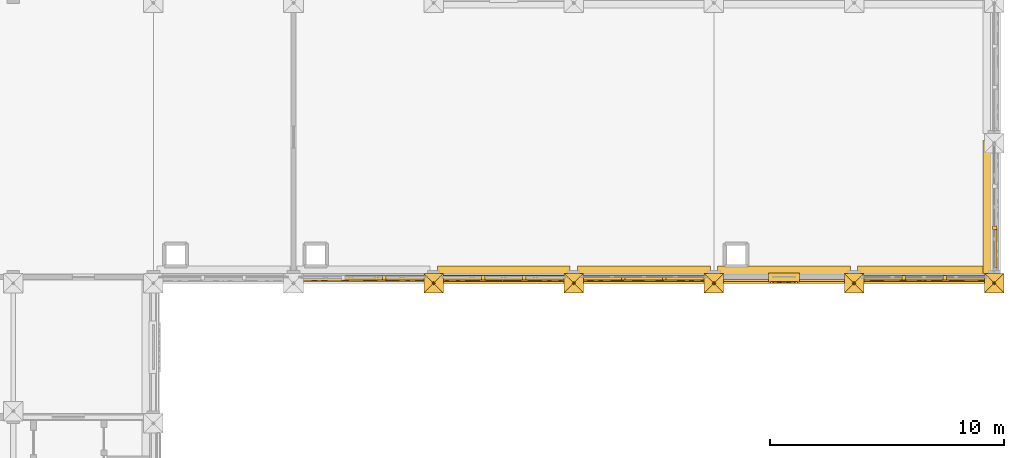
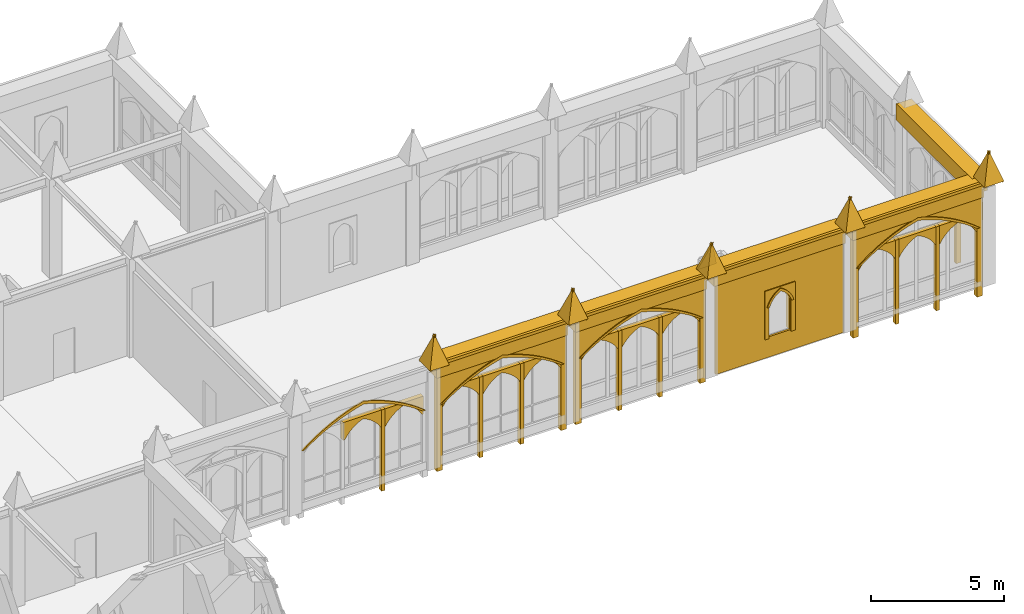
# One storey, part 103 of 108: 59 coverings.
"""IFC4 building model written with IfcOpenShell, lengths in metres."""

from ifc_helpers import new_model, si_unit, direction, frame, origin, origin_2d, place, context, subcontext, project, spatial, polyline, rectangle, outline, extrude, material, type_object, element, save


model = new_model("IFC4")

# Units and contexts
model_context = context("Model", 3, precision=1e-05, world=origin(), true_north=direction((0.0, 1.0)))
body_context = subcontext(model_context, "Body", "Model", "MODEL_VIEW")
ifc_project = project(units=[si_unit("LENGTHUNIT", "METRE"), si_unit("AREAUNIT", "SQUARE_METRE"), si_unit("VOLUMEUNIT", "CUBIC_METRE"), si_unit("PLANEANGLEUNIT", "RADIAN"), si_unit("MASSUNIT", "GRAM", prefix="KILO")], contexts=[model_context])

# Site, building, storey
site_placement = place(None, origin())
site = spatial("IfcSite", under=ifc_project, at=site_placement, CompositionType="ELEMENT")
building_placement = place(site_placement, origin())
building = spatial("IfcBuilding", under=site, at=building_placement, Name="Cumevento Cable Car Station", CompositionType="ELEMENT")
storey_placement = place(building_placement, frame((0.0, 0.0, 13.5)))
storey = spatial("IfcBuildingStorey", under=building, at=storey_placement, Name="L04", CompositionType="ELEMENT", Elevation=13.5)

# Coverings
ifc_material = material(Name="Gnaisse Facoidal Stone Ashlar 85 MPa", Category="masonry")
covering_type = type_object("IfcCoveringType", Name="Gnaisse Ashlar Cladding CV-CL01", PredefinedType="CLADDING", material=ifc_material)
for number, where, z_axis, x_axis, name in (
    (1, (141.580078125, 33.159912109375, 4.8701171875), (0.0, 0.951573760476, 0.30742052367), (1.0, 0.0, 0.0), "Gothic Buttress Pinnacle Spire Facet 1 bt:142.0:33.0"),
    (2, (142.419921875, 33.159912109375, 4.8701171875), (0.951573760476, 0.0, 0.30742052367), (0.0, -1.0, 0.0), "Gothic Buttress Pinnacle Spire Facet 2 bt:142.0:33.0"),
    (3, (142.419921875, 32.320068359375, 4.8701171875), (0.0, -0.951573760476, 0.30742052367), (-1.0, 0.0, 0.0), "Gothic Buttress Pinnacle Spire Facet 3 bt:142.0:33.0"),
    (4, (141.580078125, 32.320068359375, 4.8701171875), (-0.951573760476, 0.0, 0.30742052367), (0.0, 1.0, 0.0), "Gothic Buttress Pinnacle Spire Facet 4 bt:142.0:33.0"),
    (5, (147.580078125, 33.159912109375, 4.8701171875), (0.0, 0.951573760476, 0.30742052367), (1.0, 0.0, 0.0), "Gothic Buttress Pinnacle Spire Facet 1 bt:148.0:33.0"),
    (6, (148.419921875, 33.159912109375, 4.8701171875), (0.951573760476, 0.0, 0.30742052367), (0.0, -1.0, 0.0), "Gothic Buttress Pinnacle Spire Facet 2 bt:148.0:33.0"),
    (7, (148.419921875, 32.320068359375, 4.8701171875), (0.0, -0.951573760476, 0.30742052367), (-1.0, 0.0, 0.0), "Gothic Buttress Pinnacle Spire Facet 3 bt:148.0:33.0"),
    (8, (147.580078125, 32.320068359375, 4.8701171875), (-0.951573760476, 0.0, 0.30742052367), (0.0, 1.0, 0.0), "Gothic Buttress Pinnacle Spire Facet 4 bt:148.0:33.0"),
    (9, (153.580078125, 33.159912109375, 4.8701171875), (0.0, 0.951573760476, 0.30742052367), (1.0, 0.0, 0.0), "Gothic Buttress Pinnacle Spire Facet 1 bt:154.0:33.0"),
    (10, (154.419921875, 33.159912109375, 4.8701171875), (0.951573760476, 0.0, 0.30742052367), (0.0, -1.0, 0.0), "Gothic Buttress Pinnacle Spire Facet 2 bt:154.0:33.0"),
    (11, (154.419921875, 32.320068359375, 4.8701171875), (0.0, -0.951573760476, 0.30742052367), (-1.0, 0.0, 0.0), "Gothic Buttress Pinnacle Spire Facet 3 bt:154.0:33.0"),
    (12, (153.580078125, 32.320068359375, 4.8701171875), (-0.951573760476, 0.0, 0.30742052367), (0.0, 1.0, 0.0), "Gothic Buttress Pinnacle Spire Facet 4 bt:154.0:33.0"),
    (13, (159.580078125, 33.159912109375, 4.8701171875), (0.0, 0.951573760476, 0.30742052367), (1.0, 0.0, 0.0), "Gothic Buttress Pinnacle Spire Facet 1 bt:160.0:33.0"),
    (14, (160.419921875, 33.159912109375, 4.8701171875), (0.951573760476, 0.0, 0.30742052367), (0.0, -1.0, 0.0), "Gothic Buttress Pinnacle Spire Facet 2 bt:160.0:33.0"),
    (15, (160.419921875, 32.320068359375, 4.8701171875), (0.0, -0.951573760476, 0.30742052367), (-1.0, 0.0, 0.0), "Gothic Buttress Pinnacle Spire Facet 3 bt:160.0:33.0"),
    (16, (159.580078125, 32.320068359375, 4.8701171875), (-0.951573760476, 0.0, 0.30742052367), (0.0, 1.0, 0.0), "Gothic Buttress Pinnacle Spire Facet 4 bt:160.0:33.0"),
    (17, (165.580078125, 33.159912109375, 4.8701171875), (0.0, 0.951573760476, 0.30742052367), (1.0, 0.0, 0.0), "Gothic Buttress Pinnacle Spire Facet 1 bt:166.0:33.0"),
    (18, (166.419921875, 33.159912109375, 4.8701171875), (0.951573760476, 0.0, 0.30742052367), (0.0, -1.0, 0.0), "Gothic Buttress Pinnacle Spire Facet 2 bt:166.0:33.0"),
    (19, (166.419921875, 32.320068359375, 4.8701171875), (0.0, -0.951573760476, 0.30742052367), (-1.0, 0.0, 0.0), "Gothic Buttress Pinnacle Spire Facet 3 bt:166.0:33.0"),
    (20, (165.580078125, 32.320068359375, 4.8701171875), (-0.951573760476, 0.0, 0.30742052367), (0.0, 1.0, 0.0), "Gothic Buttress Pinnacle Spire Facet 4 bt:166.0:33.0"),
):
    element("IfcCovering", number, at=place(storey_placement, frame(where, z_axis=z_axis, x_axis=x_axis)), inside=storey, type_object=covering_type, Name=name, PredefinedType="CLADDING", context=body_context, shape_type="SweptSolid", body=[
        extrude(outline(polyline([(0.0, 0.0), (0.83984375, 0.0), (0.419921875, -1.3659526370817139), (0.0, 0.0)])), origin(), (0.0, 0.0, -1.0), 0.0849609375),
    ])
covering_1_placement = place(storey_placement, frame((145.0, 33.14990234375, 4.032958984375), z_axis=(0.0, 0.0, 1.0), x_axis=(-1.0, 0.0, 0.0)))
element("IfcCovering", 21, at=covering_1_placement, inside=storey, type_object=covering_type, Name="Gothic Stone Spandrel Stringcourse sc:0761", PredefinedType="CLADDING", context=body_context, shape_type="SweptSolid", body=[
    extrude(rectangle(XDim=5.68994140625, YDim=0.659912109375, at=origin_2d()), origin(), (0.0, 0.0, 1.0), 0.7470703125),
])
covering_2_placement = place(storey_placement, frame((145.0, 32.79248046875, 4.650146484375), z_axis=(0.0, 0.0, 1.0), x_axis=(-1.0, 0.0, 0.0)))
element("IfcCovering", 22, at=covering_2_placement, inside=storey, type_object=covering_type, Name="Gothic Cornice Dripstone Lip sc:0761", PredefinedType="CLADDING", context=body_context, shape_type="SweptSolid", body=[
    extrude(rectangle(XDim=5.72998046875, YDim=0.114990234375, at=origin_2d()), origin(), (0.0, 0.0, 1.0), 0.1298828125),
])
covering_3_placement = place(storey_placement, frame((151.0, 33.14990234375, 4.032958984375), z_axis=(0.0, 0.0, 1.0), x_axis=(-1.0, 0.0, 0.0)))
element("IfcCovering", 23, at=covering_3_placement, inside=storey, type_object=covering_type, Name="Gothic Stone Spandrel Stringcourse sc:0762", PredefinedType="CLADDING", context=body_context, shape_type="SweptSolid", body=[
    extrude(rectangle(XDim=5.68994140625, YDim=0.659912109375, at=origin_2d()), origin(), (0.0, 0.0, 1.0), 0.7470703125),
])
covering_4_placement = place(storey_placement, frame((151.0, 32.79248046875, 4.650146484375), z_axis=(0.0, 0.0, 1.0), x_axis=(-1.0, 0.0, 0.0)))
element("IfcCovering", 24, at=covering_4_placement, inside=storey, type_object=covering_type, Name="Gothic Cornice Dripstone Lip sc:0762", PredefinedType="CLADDING", context=body_context, shape_type="SweptSolid", body=[
    extrude(rectangle(XDim=5.72998046875, YDim=0.114990234375, at=origin_2d()), origin(), (0.0, 0.0, 1.0), 0.1298828125),
])
covering_5_placement = place(storey_placement, frame((157.0, 33.14990234375, 4.032958984375), z_axis=(0.0, 0.0, 1.0), x_axis=(-1.0, 0.0, 0.0)))
element("IfcCovering", 25, at=covering_5_placement, inside=storey, type_object=covering_type, Name="Gothic Stone Spandrel Stringcourse sc:0763", PredefinedType="CLADDING", context=body_context, shape_type="SweptSolid", body=[
    extrude(rectangle(XDim=5.68994140625, YDim=0.659912109375, at=origin_2d()), origin(), (0.0, 0.0, 1.0), 0.7470703125),
])
covering_6_placement = place(storey_placement, frame((157.0, 32.79248046875, 4.650146484375), z_axis=(0.0, 0.0, 1.0), x_axis=(-1.0, 0.0, 0.0)))
element("IfcCovering", 26, at=covering_6_placement, inside=storey, type_object=covering_type, Name="Gothic Cornice Dripstone Lip sc:0763", PredefinedType="CLADDING", context=body_context, shape_type="SweptSolid", body=[
    extrude(rectangle(XDim=5.72998046875, YDim=0.114990234375, at=origin_2d()), origin(), (0.0, 0.0, 1.0), 0.1298828125),
])
covering_7_placement = place(storey_placement, frame((163.0, 33.14990234375, 4.032958984375), z_axis=(0.0, 0.0, 1.0), x_axis=(-1.0, 0.0, 0.0)))
element("IfcCovering", 27, at=covering_7_placement, inside=storey, type_object=covering_type, Name="Gothic Stone Spandrel Stringcourse sc:0764", PredefinedType="CLADDING", context=body_context, shape_type="SweptSolid", body=[
    extrude(rectangle(XDim=5.68994140625, YDim=0.659912109375, at=origin_2d()), origin(), (0.0, 0.0, 1.0), 0.7470703125),
])
covering_8_placement = place(storey_placement, frame((163.0, 32.79248046875, 4.650146484375), z_axis=(0.0, 0.0, 1.0), x_axis=(-1.0, 0.0, 0.0)))
element("IfcCovering", 28, at=covering_8_placement, inside=storey, type_object=covering_type, Name="Gothic Cornice Dripstone Lip sc:0764", PredefinedType="CLADDING", context=body_context, shape_type="SweptSolid", body=[
    extrude(rectangle(XDim=5.72998046875, YDim=0.114990234375, at=origin_2d()), origin(), (0.0, 0.0, 1.0), 0.1298828125),
])
covering_9_placement = place(storey_placement, frame((165.85009765625, 36.0, 4.032958984375), z_axis=(0.0, 0.0, 1.0), x_axis=(0.0, -1.0, 0.0)))
element("IfcCovering", 29, at=covering_9_placement, inside=storey, type_object=covering_type, Name="Gothic Stone Spandrel Stringcourse sc:0769", PredefinedType="CLADDING", context=body_context, shape_type="SweptSolid", body=[
    extrude(rectangle(XDim=5.68994140625, YDim=0.659912109375, at=origin_2d()), origin(), (0.0, 0.0, 1.0), 0.7470703125),
])
covering_10_placement = place(storey_placement, frame((141.72509765625, 33.0, 2.7490234375), z_axis=(0.0, 0.0, 1.0), x_axis=(-1.0, 0.0, 0.0)))
element("IfcCovering", 30, at=covering_10_placement, inside=storey, type_object=covering_type, Name="Gothic Pointed Archivolt Hood Moulding cw_ogival:0180", PredefinedType="CLADDING", context=body_context, shape_type="SweptSolid", body=[
    extrude(outline(polyline([(0.159912109375, 0.0), (0.4501953125, 0.209228515625), (0.750732421875, 0.403076171875), (1.060791015625, 0.58154296875), (1.379638671875, 0.74365234375), (1.706298828125, 0.889404296875), (2.0400390625, 1.018310546875), (2.3798828125, 1.1298828125), (2.72509765625, 1.223876953125), (3.070068359375, 1.1298828125), (3.409912109375, 1.018310546875), (3.74365234375, 0.889404296875), (4.0703125, 0.74365234375), (4.38916015625, 0.58154296875), (4.69921875, 0.403076171875), (4.999755859375, 0.209228515625), (5.2900390625, 0.0), (5.39990234375, 0.0), (5.101318359375, 0.23193359375), (4.79052734375, 0.447265625), (4.46875, 0.6455078125), (4.136474609375, 0.826171875), (3.794921875, 0.98828125), (3.4453125, 1.132080078125), (3.088134765625, 1.25634765625), (2.72509765625, 1.361328125), (2.36181640625, 1.25634765625), (2.004638671875, 1.132080078125), (1.655029296875, 0.98828125), (1.3134765625, 0.826171875), (0.981201171875, 0.6455078125), (0.659423828125, 0.447265625), (0.3486328125, 0.23193359375), (0.050048828125, 0.0), (0.159912109375, 0.0)])), frame((0.0, 0.181884765625, 0.0), z_axis=(0.0, -1.0, 0.0), x_axis=(1.0, 0.0, 0.0)), (0.0, 0.0, 1.0), 0.06689453125),
])
covering_11_placement = place(storey_placement, frame((141.72509765625, 33.0, -0.320068359375), z_axis=(0.0, 0.0, 1.0), x_axis=(-1.0, 0.0, 0.0)))
element("IfcCovering", 31, at=covering_11_placement, inside=storey, type_object=covering_type, Name="Gothic Bifora Stone Colonnette cw_ogival:0180 #1", PredefinedType="CLADDING", context=body_context, shape_type="SweptSolid", body=[
    extrude(outline(polyline([(1.77001953125, -0.02001953125), (1.919921875, -0.02001953125), (1.919921875, 3.70556640625), (1.77001953125, 3.70556640625), (1.77001953125, -0.02001953125)])), frame((0.0, 0.1279296875, 0.0), z_axis=(0.0, -1.0, 0.0), x_axis=(1.0, 0.0, 0.0)), (0.0, 0.0, 1.0), 0.205078125),
])
for number, where, z_axis, x_axis, name in (
    (32, (141.594970703125, 33.0, 2.569091796875), (0.0, 0.0, 1.0), (-1.0, 0.0, 0.0), "Gothic Ogival Pointed-Arch Stone Spandrel cw_ogival:0180:sub:0"),
    (33, (139.8349609375, 33.0, 2.569091796875), (0.0, 0.0, 1.0), (-1.0, 0.0, 0.0), "Gothic Ogival Pointed-Arch Stone Spandrel cw_ogival:0180:sub:1"),
):
    element("IfcCovering", number, at=place(storey_placement, frame(where, z_axis=z_axis, x_axis=x_axis)), inside=storey, type_object=covering_type, Name=name, PredefinedType="CLADDING", context=body_context, shape_type="SweptSolid", body=[
        extrude(outline(polyline([(-0.02001953125, 0.0), (-0.02001953125, 0.81640625), (1.68994140625, 0.81640625), (1.68994140625, 0.0), (1.6298828125, 0.0), (1.5322265625, 0.150390625), (1.418701171875, 0.2890625), (1.29052734375, 0.41455078125), (1.1494140625, 0.525146484375), (0.996826171875, 0.619384765625), (0.8349609375, 0.6962890625), (0.673095703125, 0.619384765625), (0.5205078125, 0.525146484375), (0.37939453125, 0.41455078125), (0.251220703125, 0.2890625), (0.1376953125, 0.150390625), (0.0400390625, 0.0), (-0.02001953125, 0.0)])), frame((0.0, 0.1240234375, 0.0), z_axis=(0.0, -1.0, 0.0), x_axis=(1.0, 0.0, 0.0)), (0.0, 0.0, 1.0), 0.199951171875),
    ])
placement_1 = place(storey_placement, frame((147.72509765625, 33.0, -0.27001953125), z_axis=(0.0, 0.0, 1.0), x_axis=(-1.0, 0.0, 0.0)))
element("IfcCovering", 34, at=placement_1, inside=storey, type_object=covering_type, Name="Gothic Ogival Pointed-Arch Stone Spandrel cw_ogival:0181", PredefinedType="CLADDING", context=body_context, shape_type="SweptSolid", body=[
    extrude(outline(polyline([(-0.080078125, 0.0), (-0.080078125, 4.443115234375), (5.530029296875, 4.443115234375), (5.530029296875, 0.0), (5.2900390625, 0.0), (5.2900390625, 3.037109375), (4.9990234375, 3.243408203125), (4.69775390625, 3.4345703125), (4.387451171875, 3.6103515625), (4.068603515625, 3.77001953125), (3.7421875, 3.91357421875), (3.40869140625, 4.04052734375), (3.0693359375, 4.150390625), (2.72509765625, 4.242919921875), (2.380615234375, 4.150390625), (2.041259765625, 4.04052734375), (1.707763671875, 3.91357421875), (1.38134765625, 3.77001953125), (1.0625, 3.6103515625), (0.752197265625, 3.4345703125), (0.450927734375, 3.243408203125), (0.159912109375, 3.037109375), (0.159912109375, 0.0), (-0.080078125, 0.0)])), frame((0.0, 0.139892578125, 0.0), z_axis=(0.0, -1.0, 0.0), x_axis=(1.0, 0.0, 0.0)), (0.0, 0.0, 1.0), 0.219970703125),
])
covering_13_placement = place(storey_placement, frame((147.72509765625, 33.0, 2.76708984375), z_axis=(0.0, 0.0, 1.0), x_axis=(-1.0, 0.0, 0.0)))
element("IfcCovering", 35, at=covering_13_placement, inside=storey, type_object=covering_type, Name="Gothic Pointed Archivolt Hood Moulding cw_ogival:0181", PredefinedType="CLADDING", context=body_context, shape_type="SweptSolid", body=[
    extrude(outline(polyline([(0.159912109375, 0.0), (0.450927734375, 0.206298828125), (0.752197265625, 0.3974609375), (1.0625, 0.5732421875), (1.38134765625, 0.73291015625), (1.707763671875, 0.87646484375), (2.041259765625, 1.00341796875), (2.380615234375, 1.11328125), (2.72509765625, 1.205810546875), (3.0693359375, 1.11328125), (3.40869140625, 1.00341796875), (3.7421875, 0.87646484375), (4.068603515625, 0.73291015625), (4.387451171875, 0.5732421875), (4.69775390625, 0.3974609375), (4.9990234375, 0.206298828125), (5.2900390625, 0.0), (5.39990234375, 0.0), (5.100341796875, 0.22900390625), (4.7890625, 0.441650390625), (4.466796875, 0.63720703125), (4.134521484375, 0.8154296875), (3.793212890625, 0.9755859375), (3.44384765625, 1.1171875), (3.08740234375, 1.239990234375), (2.72509765625, 1.343505859375), (2.362548828125, 1.239990234375), (2.006103515625, 1.1171875), (1.65673828125, 0.9755859375), (1.3154296875, 0.8154296875), (0.983154296875, 0.63720703125), (0.660888671875, 0.441650390625), (0.349609375, 0.22900390625), (0.050048828125, 0.0), (0.159912109375, 0.0)])), frame((0.0, 0.181884765625, 0.0), z_axis=(0.0, -1.0, 0.0), x_axis=(1.0, 0.0, 0.0)), (0.0, 0.0, 1.0), 0.06689453125),
])
element("IfcCovering", 36, at=placement_1, inside=storey, type_object=covering_type, Name="Gothic Bifora Stone Colonnette cw_ogival:0181 #1", PredefinedType="CLADDING", context=body_context, shape_type="SweptSolid", body=[
    extrude(outline(polyline([(1.77001953125, -0.02001953125), (1.919921875, -0.02001953125), (1.919921875, 3.664306640625), (1.77001953125, 3.664306640625), (1.77001953125, -0.02001953125)])), frame((0.0, 0.1279296875, 0.0), z_axis=(0.0, -1.0, 0.0), x_axis=(1.0, 0.0, 0.0)), (0.0, 0.0, 1.0), 0.205078125),
])
element("IfcCovering", 37, at=placement_1, inside=storey, type_object=covering_type, Name="Gothic Bifora Stone Colonnette cw_ogival:0181 #2", PredefinedType="CLADDING", context=body_context, shape_type="SweptSolid", body=[
    extrude(outline(polyline([(3.530029296875, -0.02001953125), (3.679931640625, -0.02001953125), (3.679931640625, 3.664306640625), (3.530029296875, 3.664306640625), (3.530029296875, -0.02001953125)])), frame((0.0, 0.1279296875, 0.0), z_axis=(0.0, -1.0, 0.0), x_axis=(1.0, 0.0, 0.0)), (0.0, 0.0, 1.0), 0.205078125),
])
for number, where, z_axis, x_axis, name in (
    (38, (147.594970703125, 33.0, 2.587158203125), (0.0, 0.0, 1.0), (-1.0, 0.0, 0.0), "Gothic Ogival Pointed-Arch Stone Spandrel cw_ogival:0181:sub:0"),
    (39, (145.8349609375, 33.0, 2.587158203125), (0.0, 0.0, 1.0), (-1.0, 0.0, 0.0), "Gothic Ogival Pointed-Arch Stone Spandrel cw_ogival:0181:sub:1"),
    (40, (144.074951171875, 33.0, 2.587158203125), (0.0, 0.0, 1.0), (-1.0, 0.0, 0.0), "Gothic Ogival Pointed-Arch Stone Spandrel cw_ogival:0181:sub:2"),
):
    element("IfcCovering", number, at=place(storey_placement, frame(where, z_axis=z_axis, x_axis=x_axis)), inside=storey, type_object=covering_type, Name=name, PredefinedType="CLADDING", context=body_context, shape_type="SweptSolid", body=[
        extrude(outline(polyline([(-0.02001953125, 0.0), (-0.02001953125, 0.80712890625), (1.68994140625, 0.80712890625), (1.68994140625, 0.0), (1.6298828125, 0.0), (1.531494140625, 0.148681640625), (1.41748046875, 0.28564453125), (1.289306640625, 0.4091796875), (1.148193359375, 0.518310546875), (0.99609375, 0.611328125), (0.8349609375, 0.68701171875), (0.673828125, 0.611328125), (0.521728515625, 0.518310546875), (0.380615234375, 0.4091796875), (0.25244140625, 0.28564453125), (0.138427734375, 0.148681640625), (0.0400390625, 0.0), (-0.02001953125, 0.0)])), frame((0.0, 0.1240234375, 0.0), z_axis=(0.0, -1.0, 0.0), x_axis=(1.0, 0.0, 0.0)), (0.0, 0.0, 1.0), 0.199951171875),
    ])
placement_2 = place(storey_placement, frame((153.72509765625, 33.0, -0.219970703125), z_axis=(0.0, 0.0, 1.0), x_axis=(-1.0, 0.0, 0.0)))
element("IfcCovering", 41, at=placement_2, inside=storey, type_object=covering_type, Name="Gothic Ogival Pointed-Arch Stone Spandrel cw_ogival:0182", PredefinedType="CLADDING", context=body_context, shape_type="SweptSolid", body=[
    extrude(outline(polyline([(-0.080078125, 0.0), (-0.080078125, 4.39306640625), (5.530029296875, 4.39306640625), (5.530029296875, 0.0), (5.2900390625, 0.0), (5.2900390625, 3.005126953125), (4.998046875, 3.208251953125), (4.696533203125, 3.396728515625), (4.3857421875, 3.570068359375), (4.06689453125, 3.7275390625), (3.740478515625, 3.868896484375), (3.407470703125, 3.99365234375), (3.06884765625, 4.101806640625), (2.72509765625, 4.193115234375), (2.381103515625, 4.101806640625), (2.04248046875, 3.99365234375), (1.70947265625, 3.868896484375), (1.383056640625, 3.7275390625), (1.064208984375, 3.570068359375), (0.75341796875, 3.396728515625), (0.451904296875, 3.208251953125), (0.159912109375, 3.005126953125), (0.159912109375, 0.0), (-0.080078125, 0.0)])), frame((0.0, 0.139892578125, 0.0), z_axis=(0.0, -1.0, 0.0), x_axis=(1.0, 0.0, 0.0)), (0.0, 0.0, 1.0), 0.219970703125),
])
covering_17_placement = place(storey_placement, frame((153.72509765625, 33.0, 2.78515625), z_axis=(0.0, 0.0, 1.0), x_axis=(-1.0, 0.0, 0.0)))
element("IfcCovering", 42, at=covering_17_placement, inside=storey, type_object=covering_type, Name="Gothic Pointed Archivolt Hood Moulding cw_ogival:0182", PredefinedType="CLADDING", context=body_context, shape_type="SweptSolid", body=[
    extrude(outline(polyline([(0.159912109375, 0.0), (0.451904296875, 0.203125), (0.75341796875, 0.3916015625), (1.064208984375, 0.56494140625), (1.383056640625, 0.722412109375), (1.70947265625, 0.86376953125), (2.04248046875, 0.988525390625), (2.381103515625, 1.0966796875), (2.72509765625, 1.18798828125), (3.06884765625, 1.0966796875), (3.407470703125, 0.988525390625), (3.740478515625, 0.86376953125), (4.06689453125, 0.722412109375), (4.3857421875, 0.56494140625), (4.696533203125, 0.3916015625), (4.998046875, 0.203125), (5.2900390625, 0.0), (5.39990234375, 0.0), (5.099609375, 0.22607421875), (4.78759765625, 0.43603515625), (4.465087890625, 0.62890625), (4.1328125, 0.8046875), (3.791748046875, 0.962646484375), (3.442626953125, 1.102294921875), (3.086669921875, 1.223388671875), (2.72509765625, 1.325439453125), (2.36328125, 1.223388671875), (2.00732421875, 1.102294921875), (1.658203125, 0.962646484375), (1.317138671875, 0.8046875), (0.98486328125, 0.62890625), (0.662353515625, 0.43603515625), (0.350341796875, 0.22607421875), (0.050048828125, 0.0), (0.159912109375, 0.0)])), frame((0.0, 0.181884765625, 0.0), z_axis=(0.0, -1.0, 0.0), x_axis=(1.0, 0.0, 0.0)), (0.0, 0.0, 1.0), 0.06689453125),
])
element("IfcCovering", 43, at=placement_2, inside=storey, type_object=covering_type, Name="Gothic Bifora Stone Colonnette cw_ogival:0182 #1", PredefinedType="CLADDING", context=body_context, shape_type="SweptSolid", body=[
    extrude(outline(polyline([(1.77001953125, -0.02001953125), (1.919921875, -0.02001953125), (1.919921875, 3.622802734375), (1.77001953125, 3.622802734375), (1.77001953125, -0.02001953125)])), frame((0.0, 0.1279296875, 0.0), z_axis=(0.0, -1.0, 0.0), x_axis=(1.0, 0.0, 0.0)), (0.0, 0.0, 1.0), 0.205078125),
])
element("IfcCovering", 44, at=placement_2, inside=storey, type_object=covering_type, Name="Gothic Bifora Stone Colonnette cw_ogival:0182 #2", PredefinedType="CLADDING", context=body_context, shape_type="SweptSolid", body=[
    extrude(outline(polyline([(3.530029296875, -0.02001953125), (3.679931640625, -0.02001953125), (3.679931640625, 3.622802734375), (3.530029296875, 3.622802734375), (3.530029296875, -0.02001953125)])), frame((0.0, 0.1279296875, 0.0), z_axis=(0.0, -1.0, 0.0), x_axis=(1.0, 0.0, 0.0)), (0.0, 0.0, 1.0), 0.205078125),
])
for number, where, z_axis, x_axis, name in (
    (45, (153.594970703125, 33.0, 2.60498046875), (0.0, 0.0, 1.0), (-1.0, 0.0, 0.0), "Gothic Ogival Pointed-Arch Stone Spandrel cw_ogival:0182:sub:0"),
    (46, (151.8349609375, 33.0, 2.60498046875), (0.0, 0.0, 1.0), (-1.0, 0.0, 0.0), "Gothic Ogival Pointed-Arch Stone Spandrel cw_ogival:0182:sub:1"),
    (47, (150.074951171875, 33.0, 2.60498046875), (0.0, 0.0, 1.0), (-1.0, 0.0, 0.0), "Gothic Ogival Pointed-Arch Stone Spandrel cw_ogival:0182:sub:2"),
):
    element("IfcCovering", number, at=place(storey_placement, frame(where, z_axis=z_axis, x_axis=x_axis)), inside=storey, type_object=covering_type, Name=name, PredefinedType="CLADDING", context=body_context, shape_type="SweptSolid", body=[
        extrude(outline(polyline([(-0.02001953125, 0.0), (-0.02001953125, 0.797607421875), (1.68994140625, 0.797607421875), (1.68994140625, 0.0), (1.6298828125, 0.0), (1.53076171875, 0.146728515625), (1.416259765625, 0.281982421875), (1.287841796875, 0.404052734375), (1.147216796875, 0.511474609375), (0.99560546875, 0.60302734375), (0.8349609375, 0.677734375), (0.67431640625, 0.60302734375), (0.522705078125, 0.511474609375), (0.382080078125, 0.404052734375), (0.253662109375, 0.281982421875), (0.13916015625, 0.146728515625), (0.0400390625, 0.0), (-0.02001953125, 0.0)])), frame((0.0, 0.1240234375, 0.0), z_axis=(0.0, -1.0, 0.0), x_axis=(1.0, 0.0, 0.0)), (0.0, 0.0, 1.0), 0.199951171875),
    ])
placement_3 = place(storey_placement, frame((165.72509765625, 33.0, -0.469970703125), z_axis=(0.0, 0.0, 1.0), x_axis=(-1.0, 0.0, 0.0)))
element("IfcCovering", 48, at=placement_3, inside=storey, type_object=covering_type, Name="Gothic Ogival Pointed-Arch Stone Spandrel cw_ogival:0185", PredefinedType="CLADDING", context=body_context, shape_type="SweptSolid", body=[
    extrude(outline(polyline([(-0.080078125, 0.0), (-0.080078125, 4.64306640625), (5.530029296875, 4.64306640625), (5.530029296875, 0.0), (5.2900390625, 0.0), (5.2900390625, 3.1650390625), (5.002197265625, 3.383056640625), (4.703369140625, 3.585205078125), (4.394287109375, 3.771484375), (4.07568359375, 3.94091796875), (3.74853515625, 4.093017578125), (3.41357421875, 4.227783203125), (3.072265625, 4.344482421875), (2.72509765625, 4.44287109375), (2.377685546875, 4.344482421875), (2.036376953125, 4.227783203125), (1.701416015625, 4.093017578125), (1.374267578125, 3.94091796875), (1.0556640625, 3.771484375), (0.74658203125, 3.585205078125), (0.44775390625, 3.383056640625), (0.159912109375, 3.1650390625), (0.159912109375, 0.0), (-0.080078125, 0.0)])), frame((0.0, 0.139892578125, 0.0), z_axis=(0.0, -1.0, 0.0), x_axis=(1.0, 0.0, 0.0)), (0.0, 0.0, 1.0), 0.219970703125),
])
covering_21_placement = place(storey_placement, frame((165.72509765625, 33.0, 2.695068359375), z_axis=(0.0, 0.0, 1.0), x_axis=(-1.0, 0.0, 0.0)))
element("IfcCovering", 49, at=covering_21_placement, inside=storey, type_object=covering_type, Name="Gothic Pointed Archivolt Hood Moulding cw_ogival:0185", PredefinedType="CLADDING", context=body_context, shape_type="SweptSolid", body=[
    extrude(outline(polyline([(0.159912109375, 0.0), (0.44775390625, 0.218017578125), (0.74658203125, 0.420166015625), (1.0556640625, 0.6064453125), (1.374267578125, 0.77587890625), (1.701416015625, 0.927978515625), (2.036376953125, 1.062744140625), (2.377685546875, 1.179443359375), (2.72509765625, 1.27783203125), (3.072265625, 1.179443359375), (3.41357421875, 1.062744140625), (3.74853515625, 0.927978515625), (4.07568359375, 0.77587890625), (4.394287109375, 0.6064453125), (4.703369140625, 0.420166015625), (5.002197265625, 0.218017578125), (5.2900390625, 0.0), (5.39990234375, 0.0), (5.10400390625, 0.240478515625), (4.794921875, 0.46435546875), (4.47412109375, 0.67041015625), (4.14208984375, 0.858154296875), (3.800048828125, 1.02685546875), (3.448974609375, 1.176513671875), (3.09033203125, 1.30615234375), (2.72509765625, 1.415283203125), (2.359619140625, 1.30615234375), (2.0009765625, 1.176513671875), (1.64990234375, 1.02685546875), (1.307861328125, 0.858154296875), (0.975830078125, 0.67041015625), (0.655029296875, 0.46435546875), (0.345947265625, 0.240478515625), (0.050048828125, 0.0), (0.159912109375, 0.0)])), frame((0.0, 0.181884765625, 0.0), z_axis=(0.0, -1.0, 0.0), x_axis=(1.0, 0.0, 0.0)), (0.0, 0.0, 1.0), 0.06689453125),
])
element("IfcCovering", 50, at=placement_3, inside=storey, type_object=covering_type, Name="Gothic Bifora Stone Colonnette cw_ogival:0185 #1", PredefinedType="CLADDING", context=body_context, shape_type="SweptSolid", body=[
    extrude(outline(polyline([(1.77001953125, -0.02001953125), (1.919921875, -0.02001953125), (1.919921875, 3.82958984375), (1.77001953125, 3.82958984375), (1.77001953125, -0.02001953125)])), frame((0.0, 0.1279296875, 0.0), z_axis=(0.0, -1.0, 0.0), x_axis=(1.0, 0.0, 0.0)), (0.0, 0.0, 1.0), 0.205078125),
])
element("IfcCovering", 51, at=placement_3, inside=storey, type_object=covering_type, Name="Gothic Bifora Stone Colonnette cw_ogival:0185 #2", PredefinedType="CLADDING", context=body_context, shape_type="SweptSolid", body=[
    extrude(outline(polyline([(3.530029296875, -0.02001953125), (3.679931640625, -0.02001953125), (3.679931640625, 3.82958984375), (3.530029296875, 3.82958984375), (3.530029296875, -0.02001953125)])), frame((0.0, 0.1279296875, 0.0), z_axis=(0.0, -1.0, 0.0), x_axis=(1.0, 0.0, 0.0)), (0.0, 0.0, 1.0), 0.205078125),
])
for number, where, z_axis, x_axis, name in (
    (52, (165.594970703125, 33.0, 2.51513671875), (0.0, 0.0, 1.0), (-1.0, 0.0, 0.0), "Gothic Ogival Pointed-Arch Stone Spandrel cw_ogival:0185:sub:0"),
    (53, (163.8349609375, 33.0, 2.51513671875), (0.0, 0.0, 1.0), (-1.0, 0.0, 0.0), "Gothic Ogival Pointed-Arch Stone Spandrel cw_ogival:0185:sub:1"),
    (54, (162.074951171875, 33.0, 2.51513671875), (0.0, 0.0, 1.0), (-1.0, 0.0, 0.0), "Gothic Ogival Pointed-Arch Stone Spandrel cw_ogival:0185:sub:2"),
):
    element("IfcCovering", number, at=place(storey_placement, frame(where, z_axis=z_axis, x_axis=x_axis)), inside=storey, type_object=covering_type, Name=name, PredefinedType="CLADDING", context=body_context, shape_type="SweptSolid", body=[
        extrude(outline(polyline([(-0.02001953125, 0.0), (-0.02001953125, 0.844482421875), (1.68994140625, 0.844482421875), (1.68994140625, 0.0), (1.6298828125, 0.0), (1.53466796875, 0.15576171875), (1.42236328125, 0.300048828125), (1.294677734375, 0.430419921875), (1.15283203125, 0.545654296875), (0.9990234375, 0.64404296875), (0.8349609375, 0.724609375), (0.6708984375, 0.64404296875), (0.51708984375, 0.545654296875), (0.375244140625, 0.430419921875), (0.24755859375, 0.300048828125), (0.13525390625, 0.15576171875), (0.0400390625, 0.0), (-0.02001953125, 0.0)])), frame((0.0, 0.1240234375, 0.0), z_axis=(0.0, -1.0, 0.0), x_axis=(1.0, 0.0, 0.0)), (0.0, 0.0, 1.0), 0.199951171875),
    ])
covering_24_placement = place(storey_placement, frame((166.0, 38.72509765625, -0.3701171875), z_axis=(0.0, 0.0, 1.0), x_axis=(0.0, -1.0, 0.0)))
element("IfcCovering", 55, at=covering_24_placement, inside=storey, type_object=covering_type, Name="Gothic Bifora Stone Colonnette cw_ogival:0187 #2", PredefinedType="CLADDING", context=body_context, shape_type="SweptSolid", body=[
    extrude(outline(polyline([(3.530029296875, -0.02001953125), (3.679931640625, -0.02001953125), (3.679931640625, 3.746826171875), (3.530029296875, 3.746826171875), (3.530029296875, -0.02001953125)])), frame((0.0, 0.1279296875, 0.0), z_axis=(0.0, -1.0, 0.0), x_axis=(1.0, 0.0, 0.0)), (0.0, 0.0, 1.0), 0.205078125),
])
covering_25_placement = place(storey_placement, frame((166.0, 35.074951171875, 2.551025390625), z_axis=(0.0, 0.0, 1.0), x_axis=(0.0, -1.0, 0.0)))
element("IfcCovering", 56, at=covering_25_placement, inside=storey, type_object=covering_type, Name="Gothic Ogival Pointed-Arch Stone Spandrel cw_ogival:0187:sub:2", PredefinedType="CLADDING", context=body_context, shape_type="SweptSolid", body=[
    extrude(outline(polyline([(-0.02001953125, 0.0), (-0.02001953125, 0.82568359375), (1.68994140625, 0.82568359375), (1.68994140625, 0.0), (1.6298828125, 0.0), (1.533203125, 0.15234375), (1.419921875, 0.292724609375), (1.2919921875, 0.419921875), (1.150634765625, 0.531982421875), (0.99755859375, 0.627685546875), (0.8349609375, 0.705810546875), (0.67236328125, 0.627685546875), (0.519287109375, 0.531982421875), (0.3779296875, 0.419921875), (0.25, 0.292724609375), (0.13671875, 0.15234375), (0.0400390625, 0.0), (-0.02001953125, 0.0)])), frame((0.0, 0.1240234375, 0.0), z_axis=(0.0, -1.0, 0.0), x_axis=(1.0, 0.0, 0.0)), (0.0, 0.0, 1.0), 0.199951171875),
])
covering_26_placement = place(storey_placement, frame((159.72509765625, 33.0, 0.0), z_axis=(0.0, 0.0, 1.0), x_axis=(-1.0, 0.0, 0.0)))
element("IfcCovering", 57, at=covering_26_placement, inside=storey, type_object=covering_type, Name="Exterior Gnaisse Stone Wall Ashlar #290", PredefinedType="CLADDING", context=body_context, shape_type="SweptSolid", body=[
    extrude(outline(polyline([(-0.0400390625, -0.02001953125), (5.489990234375, -0.02001953125), (5.489990234375, 4.113037109375), (-0.0400390625, 4.113037109375), (-0.0400390625, -0.02001953125)]), holes=[polyline([(2.260009765625, 0.909912109375), (3.18994140625, 0.909912109375), (3.18994140625, 2.840087890625), (2.260009765625, 2.840087890625), (2.260009765625, 0.909912109375)])]), frame((0.0, 0.177490234375, 0.0), z_axis=(0.0, -1.0, 0.0), x_axis=(1.0, 0.0, 0.0)), (0.0, 0.0, 1.0), 0.0849609375),
])
covering_27_placement = place(storey_placement, frame((157.614990234375, 33.0, 0.85009765625), z_axis=(0.0, 0.0, 1.0), x_axis=(-1.0, 0.0, 0.0)))
element("IfcCovering", 58, at=covering_27_placement, inside=storey, type_object=covering_type, Name="Gothic Ogival Pointed-Arch Stone Spandrel op_ogival:0290:1", PredefinedType="CLADDING", context=body_context, shape_type="SweptSolid", body=[
    extrude(outline(polyline([(-0.0400390625, 0.0), (-0.0400390625, 2.219970703125), (1.27001953125, 2.219970703125), (1.27001953125, 0.0), (1.090087890625, 0.0), (1.090087890625, 1.4541015625), (1.053955078125, 1.55859375), (1.006103515625, 1.65869140625), (0.947021484375, 1.752197265625), (0.877197265625, 1.83837890625), (0.7978515625, 1.915771484375), (0.7099609375, 1.983154296875), (0.614990234375, 2.039794921875), (0.52001953125, 1.983154296875), (0.43212890625, 1.915771484375), (0.352783203125, 1.83837890625), (0.282958984375, 1.752197265625), (0.223876953125, 1.65869140625), (0.176025390625, 1.55859375), (0.139892578125, 1.4541015625), (0.139892578125, 0.0), (-0.0400390625, 0.0)])), frame((0.0, 0.215576171875, 0.0), z_axis=(0.0, -1.0, 0.0), x_axis=(1.0, 0.0, 0.0)), (0.0, 0.0, 1.0), 0.385009765625),
])
covering_28_placement = place(storey_placement, frame((157.614990234375, 33.0, 2.303955078125), z_axis=(0.0, 0.0, 1.0), x_axis=(-1.0, 0.0, 0.0)))
element("IfcCovering", 59, at=covering_28_placement, inside=storey, type_object=covering_type, Name="Gothic Pointed Archivolt Hood Moulding op_ogival:0290:1", PredefinedType="CLADDING", context=body_context, shape_type="SweptSolid", body=[
    extrude(outline(polyline([(0.139892578125, 0.0), (0.176025390625, 0.104736328125), (0.223876953125, 0.20458984375), (0.282958984375, 0.29833984375), (0.352783203125, 0.38427734375), (0.43212890625, 0.461669921875), (0.52001953125, 0.529052734375), (0.614990234375, 0.5859375), (0.7099609375, 0.529052734375), (0.7978515625, 0.461669921875), (0.877197265625, 0.38427734375), (0.947021484375, 0.29833984375), (1.006103515625, 0.20458984375), (1.053955078125, 0.104736328125), (1.090087890625, 0.0), (1.18896484375, 0.0), (1.145751953125, 0.126953125), (1.087890625, 0.247802734375), (1.016357421875, 0.361083984375), (0.93212890625, 0.46533203125), (0.836181640625, 0.55908203125), (0.72998046875, 0.640869140625), (0.614990234375, 0.709716796875), (0.5, 0.640869140625), (0.393798828125, 0.55908203125), (0.2978515625, 0.46533203125), (0.213623046875, 0.361083984375), (0.14208984375, 0.247802734375), (0.084228515625, 0.126953125), (0.041015625, 0.0), (0.139892578125, 0.0)])), frame((0.0, 0.257568359375, 0.0), z_axis=(0.0, -1.0, 0.0), x_axis=(1.0, 0.0, 0.0)), (0.0, 0.0, 1.0), 0.06689453125),
])

save(model, "model.ifc")
